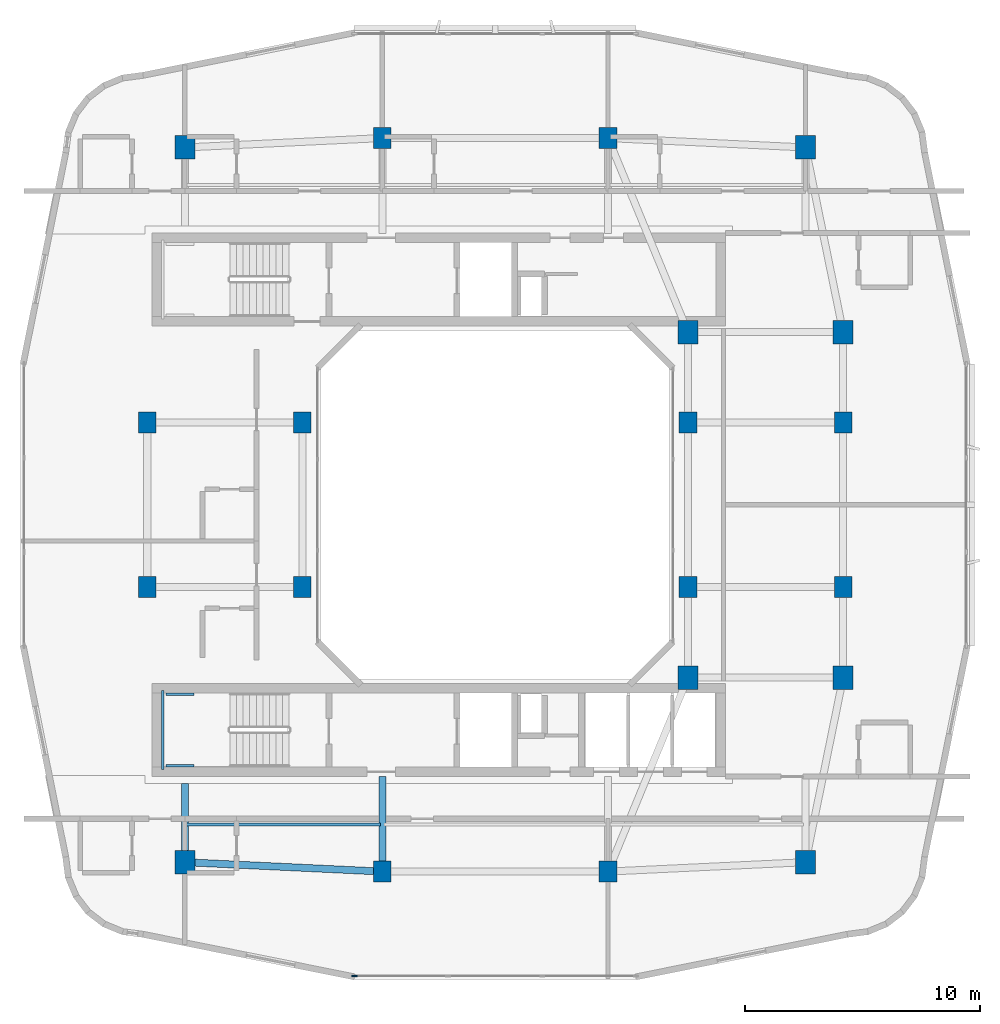
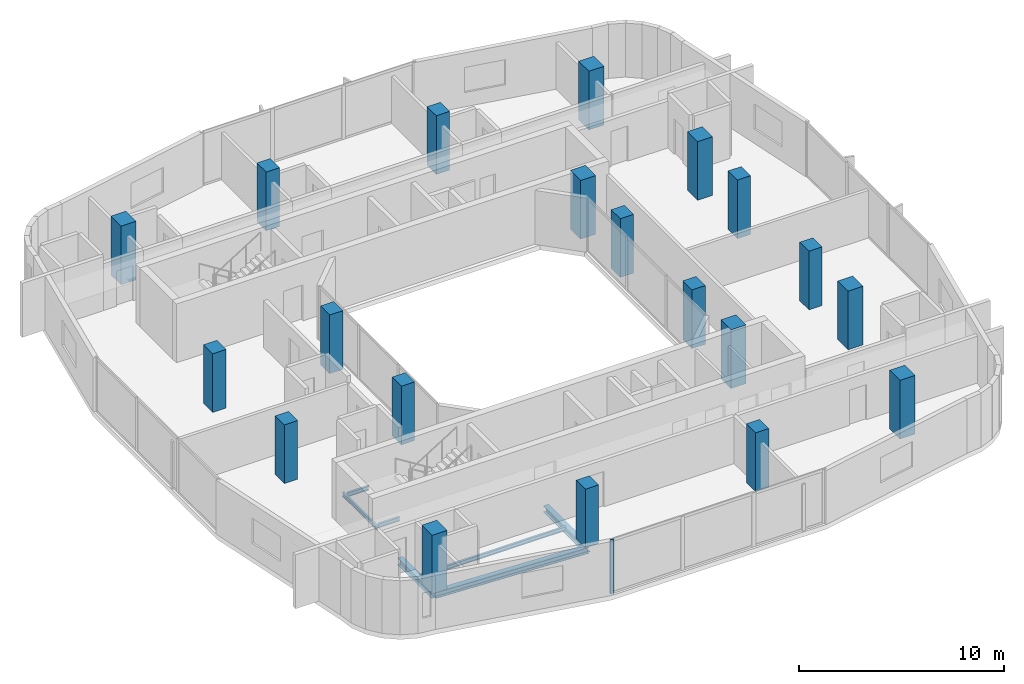
# One storey, part 1 of 14: 20 columns, 7 beams, 1 member, 1 element without a shape of its own.
"""IFC4 building model written with IfcOpenShell, lengths in metres."""

from ifc_helpers import new_model, si_unit, derived_unit, direction, frame, origin, origin_2d, place, context, subcontext, project, spatial, rectangle, i_section, extrude, material, layer, layer_set, material_profile, profile_set, type_object, element, aggregate, save


model = new_model("IFC4")

# Units and contexts
model_context = context("Model", 3, precision=1e-05, world=origin(), true_north=direction((0.0, 1.0)))
body_context = subcontext(model_context, "Body", "Model", "MODEL_VIEW")
ifc_project = project(units=[si_unit("LENGTHUNIT", "METRE"), si_unit("AREAUNIT", "SQUARE_METRE"), si_unit("VOLUMEUNIT", "CUBIC_METRE"), si_unit("PLANEANGLEUNIT", "RADIAN"), si_unit("MASSUNIT", "GRAM", prefix="KILO"), derived_unit("THERMALTRANSMITTANCEUNIT", [(si_unit("POWERUNIT", "WATT"), 1), (si_unit("LENGTHUNIT", "METRE"), -2), (si_unit("THERMODYNAMICTEMPERATUREUNIT", "KELVIN"), -1)])], contexts=[model_context])

# Site, building, storey
site_placement = place(None, origin())
site = spatial("IfcSite", under=ifc_project, at=site_placement, CompositionType="ELEMENT")
building_placement = place(site_placement, origin())
building = spatial("IfcBuilding", under=site, at=building_placement, Name="Kivonza Crest Hotel", CompositionType="ELEMENT")
storey_placement = place(building_placement, frame((0.0, 0.0, 152.0)))
storey = spatial("IfcBuildingStorey", under=building, at=storey_placement, Name="L41", CompositionType="ELEMENT", Elevation=152.0)

# Columns
ifc_material_1 = material(Name="Concrete C50/60", Category="concrete")
ifc_material_profile_1 = material_profile(ifc_material_1, rectangle(XDim=0.85009765625, YDim=1.0, at=origin_2d()), Name="RC 1000x850")
ifc_profile_set_1 = profile_set([ifc_material_profile_1], Name="Concrete C50/60")
column_type_1 = type_object("IfcColumnType", Name="CL-RC-1000x850", PredefinedType="COLUMN", material=ifc_profile_set_1)
for number, where, z_axis, x_axis, name in (
    (1, (7.800048828125, 9.800048828125, 0.0), (0.0, 0.0, 1.0), (1.0, 0.0, 0.0), "Tower T1 L41 column SW"),
    (2, (34.199951171875, 9.800048828125, 0.0), (0.0, 0.0, 1.0), (1.0, 0.0, 0.0), "Tower T1 L41 column SE"),
    (3, (34.199951171875, 40.199951171875, 0.0), (0.0, 0.0, 1.0), (1.0, 0.0, 0.0), "Tower T1 L41 column NE"),
    (4, (7.800048828125, 40.199951171875, 0.0), (0.0, 0.0, 1.0), (1.0, 0.0, 0.0), "Tower T1 L41 column NW"),
    (5, (35.800048828125, 17.64990234375, 0.0), (0.0, 0.0, 1.0), (1.0, 0.0, 0.0), "Tower T1 L41 column PSE"),
    (6, (35.800048828125, 32.35009765625, 0.0), (0.0, 0.0, 1.0), (1.0, 0.0, 0.0), "Tower T1 L41 column PNE"),
    (7, (29.199951171875, 17.64990234375, 0.0), (0.0, 0.0, 1.0), (1.0, 0.0, 0.0), "Tower T1 L41 column TSE"),
    (8, (29.199951171875, 32.35009765625, 0.0), (0.0, 0.0, 1.0), (1.0, 0.0, 0.0), "Tower T1 L41 column TNE"),
):
    element("IfcColumn", number, at=place(storey_placement, frame(where, z_axis=z_axis, x_axis=x_axis)), inside=storey, type_object=column_type_1, Name=name, PredefinedType="COLUMN", context=body_context, shape_type="SweptSolid", body=[
        extrude(rectangle(XDim=0.85009765625, YDim=1.0, at=origin_2d()), origin(), (0.0, 0.0, 1.0), 3.5),
    ])
ifc_material_profile_2 = material_profile(ifc_material_1, rectangle(XDim=0.75, YDim=0.89990234375, at=origin_2d()), Name="RC 900x750")
ifc_profile_set_2 = profile_set([ifc_material_profile_2], Name="Concrete C50/60")
column_type_2 = type_object("IfcColumnType", Name="CL-RC-900x750", PredefinedType="COLUMN", material=ifc_profile_set_2)
for number, where, z_axis, x_axis, name in (
    (9, (16.199951171875, 9.39990234375, 0.0), (0.0, 0.0, 1.0), (1.0, 0.0, 0.0), "Tower T1 L41 column S1"),
    (10, (25.800048828125, 9.39990234375, 0.0), (0.0, 0.0, 1.0), (1.0, 0.0, 0.0), "Tower T1 L41 column S2"),
    (11, (16.199951171875, 40.60009765625, 0.0), (0.0, 0.0, 1.0), (1.0, 0.0, 0.0), "Tower T1 L41 column N1"),
    (12, (25.800048828125, 40.60009765625, 0.0), (0.0, 0.0, 1.0), (1.0, 0.0, 0.0), "Tower T1 L41 column N2"),
    (13, (6.199951171875, 21.5, 0.0), (0.0, 0.0, 1.0), (1.0, 0.0, 0.0), "Tower T1 L41 column W1"),
    (14, (6.199951171875, 28.5, 0.0), (0.0, 0.0, 1.0), (1.0, 0.0, 0.0), "Tower T1 L41 column W2"),
    (15, (35.800048828125, 21.5, 0.0), (0.0, 0.0, 1.0), (1.0, 0.0, 0.0), "Tower T1 L41 column E1"),
    (16, (35.800048828125, 28.5, 0.0), (0.0, 0.0, 1.0), (1.0, 0.0, 0.0), "Tower T1 L41 column E2"),
    (17, (12.800048828125, 21.5, 0.0), (0.0, 0.0, 1.0), (1.0, 0.0, 0.0), "Tower T1 L41 column WL1"),
    (18, (12.800048828125, 28.5, 0.0), (0.0, 0.0, 1.0), (1.0, 0.0, 0.0), "Tower T1 L41 column WL2"),
    (19, (29.199951171875, 21.5, 0.0), (0.0, 0.0, 1.0), (1.0, 0.0, 0.0), "Tower T1 L41 column WR1"),
    (20, (29.199951171875, 28.5, 0.0), (0.0, 0.0, 1.0), (1.0, 0.0, 0.0), "Tower T1 L41 column WR2"),
):
    element("IfcColumn", number, at=place(storey_placement, frame(where, z_axis=z_axis, x_axis=x_axis)), inside=storey, type_object=column_type_2, Name=name, PredefinedType="COLUMN", context=body_context, shape_type="SweptSolid", body=[
        extrude(rectangle(XDim=0.75, YDim=0.89990234375, at=origin_2d()), origin(), (0.0, 0.0, 1.0), 3.5),
    ])

# Beams
ifc_material_2 = material(Name="Steel S355", Category="steel")
ifc_material_profile_3 = material_profile(ifc_material_2, i_section(OverallWidth=0.300048828125, OverallDepth=0.360107421875, WebThickness=0.012451171875, FlangeThickness=0.0224609375, FilletRadius=0.027099609375, at=origin_2d()), Name="HEB 360")
ifc_profile_set_3 = profile_set([ifc_material_profile_3], Name="Steel S355")
beam_type_1 = type_object("IfcBeamType", Name="BM-HEB360", PredefinedType="SPANDREL", material=ifc_profile_set_3)
beam_1_placement = place(storey_placement, frame((7.800048828125, 9.800048828125, -0.4599609375), z_axis=(0.998867283688, -0.047583080799, 0.0), x_axis=(0.047583080799, 0.998867283688, 0.0)))
element("IfcBeam", 21, at=beam_1_placement, inside=storey, type_object=beam_type_1, Name="Tower T1 L41 perimeter spandrel SW-S1", PredefinedType="SPANDREL", context=body_context, shape_type="SweptSolid", body=[
    extrude(i_section(OverallWidth=0.300048828125, OverallDepth=0.360107421875, WebThickness=0.012451171875, FlangeThickness=0.0224609375, FilletRadius=0.027099609375, at=origin_2d()), origin(), (0.0, 0.0, 1.0), 8.409423828125),
])
ifc_material_profile_4 = material_profile(ifc_material_2, i_section(OverallWidth=0.300048828125, OverallDepth=0.39990234375, WebThickness=0.013427734375, FlangeThickness=0.02392578125, FilletRadius=0.027099609375, at=origin_2d()), Name="HEB 400")
ifc_profile_set_4 = profile_set([ifc_material_profile_4], Name="Steel S355")
beam_type_2 = type_object("IfcBeamType", Name="BM-HEB400", PredefinedType="BEAM", material=ifc_profile_set_4)
beam_2_placement = place(storey_placement, frame((7.800048828125, 9.800048828125, -0.47998046875), z_axis=(0.0, 1.0, 0.0), x_axis=(-1.0, 0.0, 0.0)))
element("IfcBeam", 22, at=beam_2_placement, inside=storey, type_object=beam_type_2, Name="Tower T1 L41 radial core girder RSW", PredefinedType="BEAM", context=body_context, shape_type="SweptSolid", body=[
    extrude(i_section(OverallWidth=0.300048828125, OverallDepth=0.39990234375, WebThickness=0.013427734375, FlangeThickness=0.02392578125, FilletRadius=0.027099609375, at=origin_2d()), origin(), (0.0, 0.0, 1.0), 3.349853515625),
])
beam_3_placement = place(storey_placement, frame((16.199951171875, 9.39990234375, -0.47998046875), z_axis=(0.0, 1.0, 0.0), x_axis=(-1.0, 0.0, 0.0)))
element("IfcBeam", 23, at=beam_3_placement, inside=storey, type_object=beam_type_2, Name="Tower T1 L41 radial core girder RS1", PredefinedType="BEAM", context=body_context, shape_type="SweptSolid", body=[
    extrude(i_section(OverallWidth=0.300048828125, OverallDepth=0.39990234375, WebThickness=0.013427734375, FlangeThickness=0.02392578125, FilletRadius=0.027099609375, at=origin_2d()), origin(), (0.0, 0.0, 1.0), 4.050048828125),
])
ifc_material_profile_5 = material_profile(ifc_material_2, i_section(OverallWidth=0.1201171875, OverallDepth=0.239990234375, WebThickness=0.006103515625, FlangeThickness=0.009765625, FilletRadius=0.014892578125, at=origin_2d()), Name="IPE 240")
ifc_profile_set_5 = profile_set([ifc_material_profile_5], Name="Steel S355")
beam_type_3 = type_object("IfcBeamType", Name="BM-IPE240", PredefinedType="JOIST", material=ifc_profile_set_5)
beam_4_placement = place(storey_placement, frame((7.8798828125, 11.39990234375, -0.39990234375), z_axis=(1.0, 0.0, 0.0), x_axis=(0.0, 1.0, 0.0)))
element("IfcBeam", 24, at=beam_4_placement, inside=storey, type_object=beam_type_3, Name="Tower T1 L41 South-West floor joist", PredefinedType="JOIST", context=body_context, shape_type="SweptSolid", body=[
    extrude(i_section(OverallWidth=0.1201171875, OverallDepth=0.239990234375, WebThickness=0.006103515625, FlangeThickness=0.009765625, FilletRadius=0.014892578125, at=origin_2d()), origin(), (0.0, 0.0, 1.0), 8.240234375),
])
ifc_material_profile_6 = material_profile(ifc_material_2, i_section(OverallWidth=0.1201171875, OverallDepth=0.239990234375, WebThickness=0.006103515625, FlangeThickness=0.009765625, FilletRadius=0.014892578125, at=origin_2d()), Name="IPE 240")
ifc_profile_set_6 = profile_set([ifc_material_profile_6], Name="Steel S355")
beam_type_4 = type_object("IfcBeamType", Name="BM-LLDG-240", PredefinedType="BEAM", material=ifc_profile_set_6)
beam_5_placement = place(storey_placement, frame((6.860107421875, 13.739990234375, 1.429931640625), z_axis=(0.0, 1.0, 0.0), x_axis=(-1.0, 0.0, 0.0)))
element("IfcBeam", 25, at=beam_5_placement, inside=storey, type_object=beam_type_4, Name="Stair ST-T1-S L41 West landing corbel", PredefinedType="BEAM", context=body_context, shape_type="SweptSolid", body=[
    extrude(i_section(OverallWidth=0.1201171875, OverallDepth=0.239990234375, WebThickness=0.006103515625, FlangeThickness=0.009765625, FilletRadius=0.014892578125, at=origin_2d()), origin(), (0.0, 0.0, 1.0), 3.360107421875),
])
for number, where, z_axis, x_axis, name in (
    (26, (6.989990234375, 13.89990234375, 1.429931640625), (1.0, 0.0, 0.0), (0.0, 1.0, 0.0), "Stair ST-T1-S L41 South landing corbel"),
    (27, (6.989990234375, 16.93994140625, 1.429931640625), (1.0, 0.0, 0.0), (0.0, 1.0, 0.0), "Stair ST-T1-S L41 North landing corbel"),
):
    element("IfcBeam", number, at=place(storey_placement, frame(where, z_axis=z_axis, x_axis=x_axis)), inside=storey, type_object=beam_type_4, Name=name, PredefinedType="BEAM", context=body_context, shape_type="SweptSolid", body=[
        extrude(i_section(OverallWidth=0.1201171875, OverallDepth=0.239990234375, WebThickness=0.006103515625, FlangeThickness=0.009765625, FilletRadius=0.014892578125, at=origin_2d()), origin(), (0.0, 0.0, 1.0), 1.2099609375),
    ])

# Curtain wall, member
ifc_material_3 = material(Name="Anodised bronze aluminium and low-E double glazing", Category="aluminium")
ifc_layer = layer(ifc_material_3, 0.179931640625)
ifc_layer_set = layer_set([ifc_layer], Name="Anodised bronze aluminium and low-E double glazing")
curtain_wall_type = type_object("IfcCurtainWallType", Name="CW-SYS-3", PredefinedType="NOTDEFINED", material=ifc_layer_set)
curtain_wall_placement = place(storey_placement, origin())
curtain_wall = element("IfcCurtainWall", 28, at=curtain_wall_placement, inside=storey, type_object=curtain_wall_type, Name="L41 unitised curtain wall CW-T1-L41-08", PredefinedType="NOTDEFINED")
ifc_material_4 = material(Name="Anodised bronze aluminium", Category="aluminium")
ifc_material_profile_7 = material_profile(ifc_material_4, rectangle(XDim=0.074951171875, YDim=0.219970703125, at=origin_2d()), Name="CW-M 75x220")
ifc_profile_set_7 = profile_set([ifc_material_profile_7], Name="Anodised bronze aluminium")
member_type = type_object("IfcMemberType", Name="CW-MUL-75x220", PredefinedType="MULLION", material=ifc_profile_set_7)
member_placement = place(storey_placement, frame((15.017578125, 4.9599609375, 0.0), z_axis=(0.0, 0.0, 1.0), x_axis=(0.0, 1.0, 0.0)))
member = element("IfcMember", 29, at=member_placement, type_object=member_type, Name="CW-3 mullion 1", PredefinedType="MULLION", context=body_context, shape_type="SweptSolid", body=[
    extrude(rectangle(XDim=0.074951171875, YDim=0.219970703125, at=origin_2d()), origin(), (0.0, 0.0, 1.0), 3.219970703125),
])
aggregate(curtain_wall, [member])

save(model, "model.ifc")
